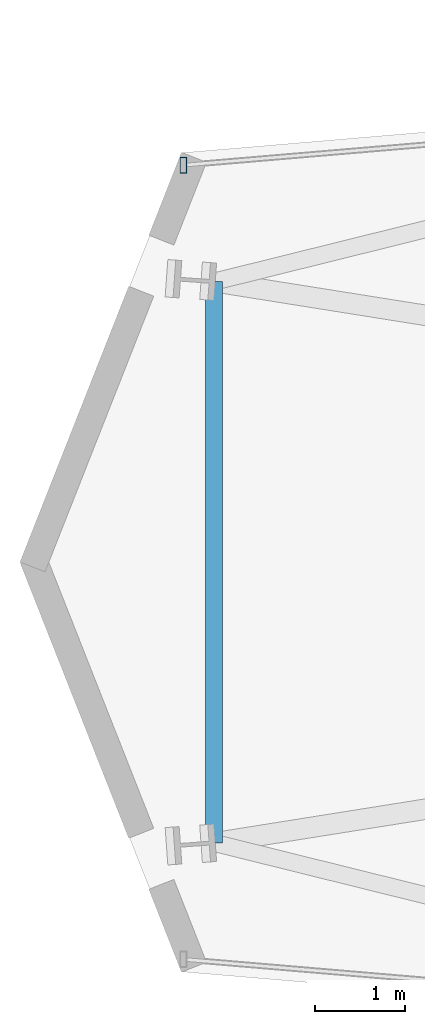
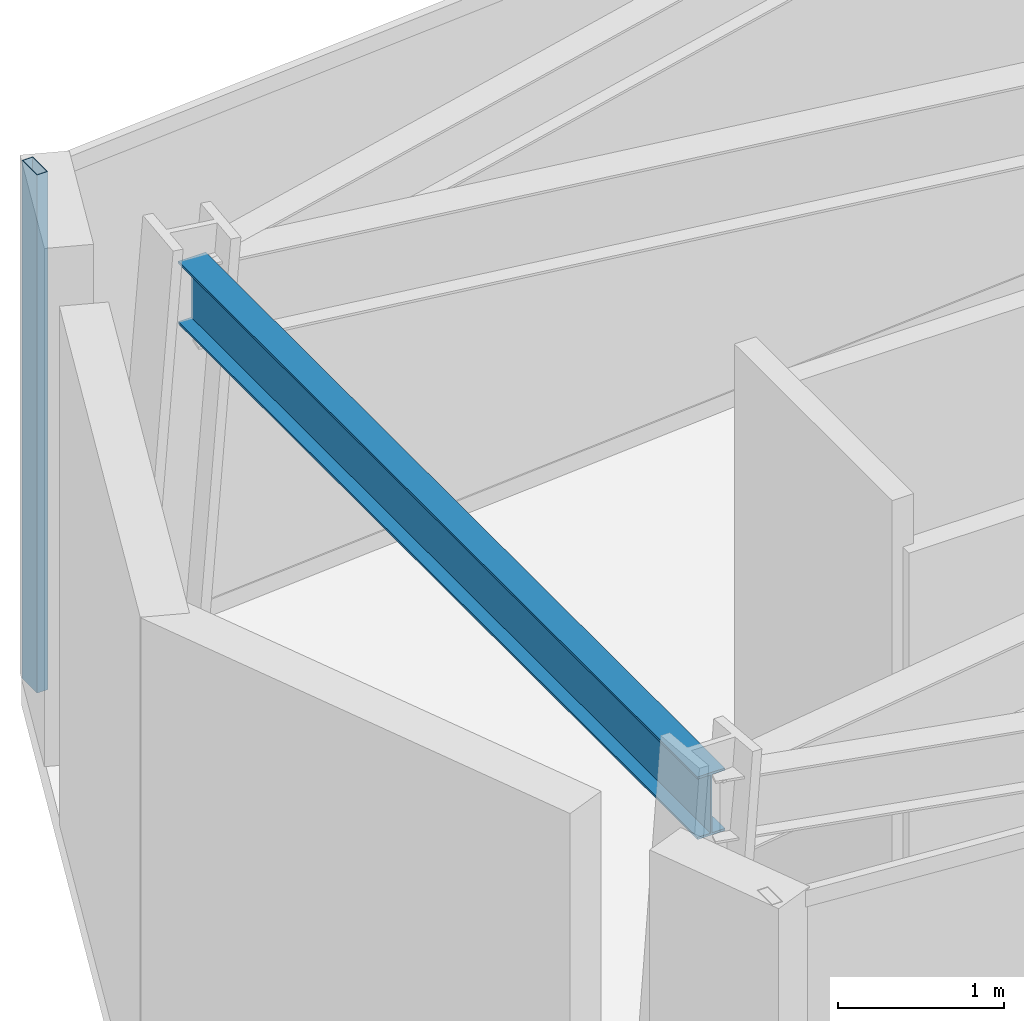
# One storey, part 6 of 25: 1 beam, 1 member, 1 element without a shape of its own.
"""IFC4 building model written with IfcOpenShell, lengths in metres."""

import ifcopenshell
import ifcopenshell.guid

model = None  # the IFC model being written
_history = None  # IfcOwnerHistory: only IFC2X3 demands one
_inside = {}  # id of a spatial element -> (the spatial element, [elements in it])
_under = {}  # id of a project, library or spatial element -> (it, [spatial elements below it])
_declared = {}  # id of a project -> (the project, [libraries it declares])
_typed = {}  # id of a type object -> (the type object, [elements of that type])
_made_of = {}  # id of a material, layer set ... -> (it, [elements and type objects made of it])


def new_model(schema):
    """Start an empty IFC model of exactly this schema.

    Asked for "IFC4X3", IfcOpenShell would pick the latest addendum, in which some entities
    have other attributes; the version numbers below select the first issue.
    IFC2X3 requires an IfcOwnerHistory on every rooted entity: one is made here for all.
    """
    global model, _history
    if schema == "IFC4X3":
        model = ifcopenshell.file(schema_version=(4, 3, 0, 0))
    else:
        model = ifcopenshell.file(schema=schema)
    _inside.clear()
    _under.clear()
    _declared.clear()
    _typed.clear()
    _made_of.clear()
    _history = None
    if model.schema == "IFC2X3":
        org = make("IfcOrganization", Name="unknown")
        user = make(
            "IfcPersonAndOrganization",
            ThePerson=make("IfcPerson", FamilyName="unknown"),
            TheOrganization=org,
        )
        app = make(
            "IfcApplication",
            ApplicationDeveloper=org,
            Version="unknown",
            ApplicationFullName="unknown",
            ApplicationIdentifier="unknown",
        )
        _history = make(
            "IfcOwnerHistory",
            OwningUser=user,
            OwningApplication=app,
            ChangeAction="ADDED",
            CreationDate=0,
        )
    return model


def make(cls, **values):
    """One entity of the class cls with the attributes given. An attribute that is None is left unset."""
    return model.create_entity(
        cls, **{name: value for name, value in values.items() if value is not None}
    )


def rooted(cls, **values):
    """An entity with a GlobalId (a new one), such as an element, a storey or a relation."""
    return make(cls, GlobalId=ifcopenshell.guid.new(), OwnerHistory=_history, **values)


def si_unit(unit_type, name, prefix=None):
    """IfcSIUnit, for example si_unit("LENGTHUNIT", "METRE", prefix="MILLI")."""
    return make("IfcSIUnit", UnitType=unit_type, Prefix=prefix, Name=name)


def assignment(units):
    """IfcUnitAssignment: the units of a project."""
    return None if units is None else make("IfcUnitAssignment", Units=units)


def point(xyz):
    """IfcCartesianPoint."""
    return None if xyz is None else make("IfcCartesianPoint", Coordinates=xyz)


def direction(xyz):
    """IfcDirection."""
    return None if xyz is None else make("IfcDirection", DirectionRatios=xyz)


def frame(location, z_axis=None, x_axis=None):
    """IfcAxis2Placement3D, a coordinate frame: its origin and axes. An axis left out is left unset."""
    return make(
        "IfcAxis2Placement3D",
        Location=point(location),
        Axis=direction(z_axis),
        RefDirection=direction(x_axis),
    )


def frame_2d(location, x_axis=None):
    """IfcAxis2Placement2D, a coordinate frame in the plane: its origin and x axis."""
    return make(
        "IfcAxis2Placement2D", Location=point(location), RefDirection=direction(x_axis)
    )


def origin():
    """The frame at (0, 0, 0) with its axes left unset."""
    return frame((0.0, 0.0, 0.0))


def origin_2d():
    """The frame at (0, 0) in the plane with its x axis left unset."""
    return frame_2d((0.0, 0.0))


def place(relative_to, where):
    """IfcLocalPlacement: puts the frame where relative to a parent placement (None: the world)."""
    return make(
        "IfcLocalPlacement", PlacementRelTo=relative_to, RelativePlacement=where
    )


def context(
    kind, dimensions, precision=None, world=None, true_north=None, identifier=None
):
    """IfcGeometricRepresentationContext, for example the 3D "Model" context."""
    return make(
        "IfcGeometricRepresentationContext",
        ContextIdentifier=identifier,
        ContextType=kind,
        CoordinateSpaceDimension=dimensions,
        Precision=precision,
        WorldCoordinateSystem=world,
        TrueNorth=true_north,
    )


def subcontext(parent, identifier, kind, view, scale=None):
    """IfcGeometricRepresentationSubContext, for example "Body" below "Model"."""
    return make(
        "IfcGeometricRepresentationSubContext",
        ContextIdentifier=identifier,
        ContextType=kind,
        ParentContext=parent,
        TargetScale=scale,
        TargetView=view,
    )


def project(units=None, contexts=None):
    """IfcProject with its units and contexts."""
    return rooted(
        "IfcProject",
        Name="project",
        RepresentationContexts=contexts,
        UnitsInContext=assignment(units),
    )


def spatial(cls, under=None, at=None, **own):
    """A site, building, storey or space (cls), placed at a placement, below another one or the project."""
    s = rooted(cls, ObjectPlacement=at, **own)
    if under is not None:
        _under.setdefault(under.id(), (under, []))[1].append(s)
    return s


def profile(cls, at=None, kind="AREA", **sizes):
    """A parametric profile (cls). Its sizes go by their IFC names, for example OverallWidth=200.0."""
    return make(cls, ProfileType=kind, Position=at, **sizes)


def hollow_rectangle(**sizes):
    """IfcRectangleHollowProfileDef."""
    return profile("IfcRectangleHollowProfileDef", **sizes)


def i_section(**sizes):
    """IfcIShapeProfileDef."""
    return profile("IfcIShapeProfileDef", **sizes)


def extrude(swept, where, along, depth):
    """IfcExtrudedAreaSolid: the profile swept, set in the frame where, extruded along a direction by depth."""
    return make(
        "IfcExtrudedAreaSolid",
        SweptArea=swept,
        Position=where,
        ExtrudedDirection=direction(along),
        Depth=depth,
    )


def shape(context_of_items, identifier, shape_type, items):
    """IfcShapeRepresentation: the items that make up one representation, for example the "Body"."""
    return make(
        "IfcShapeRepresentation",
        ContextOfItems=context_of_items,
        RepresentationIdentifier=identifier,
        RepresentationType=shape_type,
        Items=items,
    )


def material(Name=None, Category=None):
    """IfcMaterial."""
    return make("IfcMaterial", Name=Name, Category=Category)


def layer(
    of_material, thickness, ventilated=None, Name=None, Category=None, Priority=None
):
    """IfcMaterialLayer: one layer of a wall or slab, of a material (None: an air gap)."""
    return make(
        "IfcMaterialLayer",
        Material=of_material,
        LayerThickness=thickness,
        IsVentilated=ventilated,
        Name=Name,
        Category=Category,
        Priority=Priority,
    )


def layer_set(layers, Name=None):
    """IfcMaterialLayerSet."""
    return make("IfcMaterialLayerSet", MaterialLayers=layers, LayerSetName=Name)


def material_profile(
    of_material, cross_section, Name=None, Category=None, Priority=None
):
    """IfcMaterialProfile: a cross section and its material."""
    return make(
        "IfcMaterialProfile",
        Name=Name,
        Material=of_material,
        Profile=cross_section,
        Priority=Priority,
        Category=Category,
    )


def profile_set(profiles, Name=None, composite=None):
    """IfcMaterialProfileSet."""
    return make(
        "IfcMaterialProfileSet",
        Name=Name,
        MaterialProfiles=profiles,
        CompositeProfile=composite,
    )


def made_of(thing, what):
    """Note that an element or type object is made of a material, layer set ...; save() writes the relation."""
    if what is not None:
        _made_of.setdefault(what.id(), (what, []))[1].append(thing)
    return thing


def type_object(cls, material=None, **own):
    """A type object (cls), such as IfcWallType, which elements share."""
    return made_of(rooted(cls, **own), material)


def element(
    cls,
    number,
    at=None,
    inside=None,
    cuts=None,
    type_object=None,
    material=None,
    context=None,
    identifier="Body",
    shape_type=None,
    held_by="IfcProductDefinitionShape",
    body=None,
    shapes=None,
    **own,
):
    """One element of the class cls, such as IfcWall. Its Tag is "e" and its number.

    at: its placement. inside: the storey or other place that contains it. cuts: it is an
    opening in that element (IfcRelVoidsElement). A single representation is given by context,
    identifier, shape_type and body (its items); several are given by shapes. held_by: the class
    of the entity that holds the representations. save() writes the other relations.
    """
    e = rooted(cls, Tag="e%d" % number, ObjectPlacement=at, **own)
    if body is not None:
        shapes = [shape(context, identifier, shape_type, body)]
    if shapes is not None:
        e.Representation = make(held_by, Representations=shapes)
    if inside is not None:
        _inside.setdefault(inside.id(), (inside, []))[1].append(e)
    if cuts is not None:
        rooted(
            "IfcRelVoidsElement", RelatingBuildingElement=cuts, RelatedOpeningElement=e
        )
    if type_object is not None:
        _typed.setdefault(type_object.id(), (type_object, []))[1].append(e)
    return made_of(e, material)


def aggregate(whole, parts):
    """IfcRelAggregates: a whole, such as a stair, and the parts it consists of."""
    return rooted("IfcRelAggregates", RelatingObject=whole, RelatedObjects=parts)


def save(model, path):
    """Write the relations noted so far, then the file.

    IfcRelAggregates (storeys below a building ...), IfcRelContainedInSpatialStructure (elements
    in a storey), IfcRelDefinesByType, IfcRelAssociatesMaterial and IfcRelDeclares: one each for
    every whole, place, type object, material and project.
    """
    for whole, parts in _under.values():
        aggregate(whole, parts)
    for where, things in _inside.values():
        rooted(
            "IfcRelContainedInSpatialStructure",
            RelatedElements=things,
            RelatingStructure=where,
        )
    for kind, things in _typed.values():
        rooted("IfcRelDefinesByType", RelatedObjects=things, RelatingType=kind)
    for what, things in _made_of.values():
        rooted("IfcRelAssociatesMaterial", RelatedObjects=things, RelatingMaterial=what)
    for by, libraries in _declared.values():
        rooted("IfcRelDeclares", RelatingContext=by, RelatedDefinitions=libraries)
    model.write(path)


model = new_model("IFC4")

# Units and contexts
model_context = context("Model", 3, precision=1e-05, world=origin(), true_north=direction((0.0, 1.0)))
body_context = subcontext(model_context, "Body", "Model", "MODEL_VIEW")
ifc_project = project(units=[si_unit("LENGTHUNIT", "METRE"), si_unit("AREAUNIT", "SQUARE_METRE"), si_unit("VOLUMEUNIT", "CUBIC_METRE"), si_unit("PLANEANGLEUNIT", "RADIAN"), si_unit("MASSUNIT", "GRAM", prefix="KILO")], contexts=[model_context])

# Site, building, storey
site_placement = place(None, origin())
site = spatial("IfcSite", under=ifc_project, at=site_placement, CompositionType="ELEMENT")
building_placement = place(site_placement, origin())
building = spatial("IfcBuilding", under=site, at=building_placement, Name="Veymaron Broadcast Tower", CompositionType="ELEMENT")
storey_placement = place(building_placement, frame((0.0, 0.0, 149.25)))
storey = spatial("IfcBuildingStorey", under=building, at=storey_placement, Name="L34", CompositionType="ELEMENT", Elevation=149.25)

# Beam
ifc_material_1 = material(Name="Structural steel ASTM A992 Gr 50", Category="steel")
ifc_material_profile_1 = material_profile(ifc_material_1, i_section(OverallWidth=0.19091796875, OverallDepth=0.4599609375, WebThickness=0.010009765625, FlangeThickness=0.01611328125, at=origin_2d()), Name="W460X82")
ifc_profile_set_1 = profile_set([ifc_material_profile_1], Name="Structural steel ASTM A992 Gr 50")
beam_type = type_object("IfcBeamType", Name="BM-SP1", PredefinedType="SPANDREL", material=ifc_profile_set_1)
beam_placement = place(storey_placement, frame((11.5537109375, 20.8720703125, 3.580078125), z_axis=(0.0, 1.0, 0.0), x_axis=(-1.0, 0.0, 0.0)))
element("IfcBeam", 1, at=beam_placement, inside=storey, type_object=beam_type, Name="L34 primary structural floor girder", PredefinedType="SPANDREL", context=body_context, shape_type="SweptSolid", body=[
    extrude(i_section(OverallWidth=0.19091796875, OverallDepth=0.4599609375, WebThickness=0.010009765625, FlangeThickness=0.01611328125, at=origin_2d()), origin(), (0.0, 0.0, 1.0), 6.255859375),
])

# Curtain wall, member
ifc_material_2 = material(Name="Anodised aluminium AA 6063-T6 and laminated low-E dark glass", Category="aluminium")
ifc_layer = layer(ifc_material_2, 0.179931640625)
ifc_layer_set = layer_set([ifc_layer], Name="Anodised aluminium AA 6063-T6 and laminated low-E dark glass")
curtain_wall_type = type_object("IfcCurtainWallType", Name="CW-SYS-03", PredefinedType="NOTDEFINED", material=ifc_layer_set)
curtain_wall_placement = place(storey_placement, origin())
curtain_wall = element("IfcCurtainWall", 2, at=curtain_wall_placement, inside=storey, type_object=curtain_wall_type, Name="L34 dark-glass curtain wall CW-L34-E11-1", PredefinedType="NOTDEFINED")
ifc_material_3 = material(Name="Anodised aluminium AA 6063-T6", Category="aluminium")
ifc_material_profile_2 = material_profile(ifc_material_3, hollow_rectangle(XDim=0.074951171875, YDim=0.179931640625, WallThickness=0.0048828125, at=origin_2d()), Name="AL180X75X5")
ifc_profile_set_2 = profile_set([ifc_material_profile_2], Name="Anodised aluminium AA 6063-T6")
member_type = type_object("IfcMemberType", Name="CW-MUL-02", PredefinedType="MULLION", material=ifc_profile_set_2)
member_placement = place(storey_placement, frame((11.2119140625, 28.42626953125, 0.0), z_axis=(0.0, 0.0, 1.0), x_axis=(1.0, 0.0, 0.0)))
member = element("IfcMember", 3, at=member_placement, type_object=member_type, Name="CW-L34-E11-1 mullion 2", PredefinedType="MULLION", context=body_context, shape_type="SweptSolid", body=[
    extrude(hollow_rectangle(XDim=0.074951171875, YDim=0.179931640625, WallThickness=0.0048828125, at=origin_2d()), origin(), (0.0, 0.0, 1.0), 3.81005859375),
])
aggregate(curtain_wall, [member])

save(model, "model.ifc")
